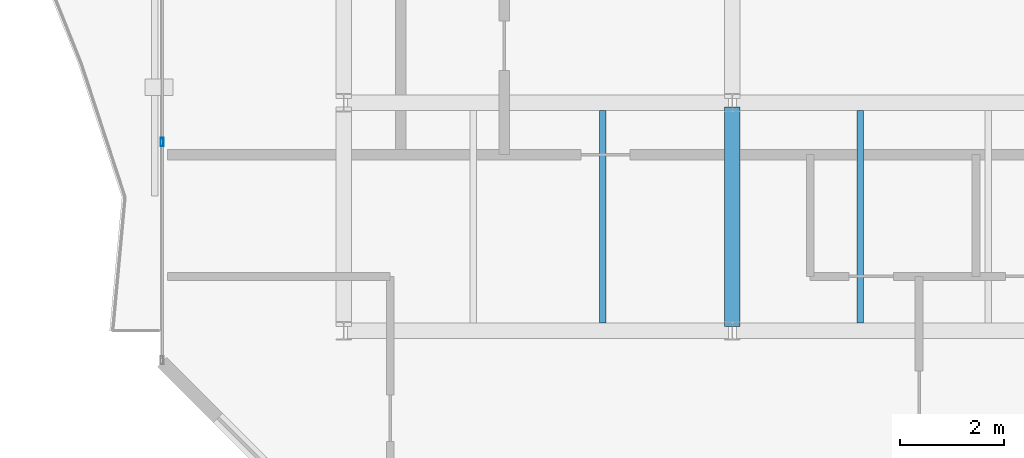
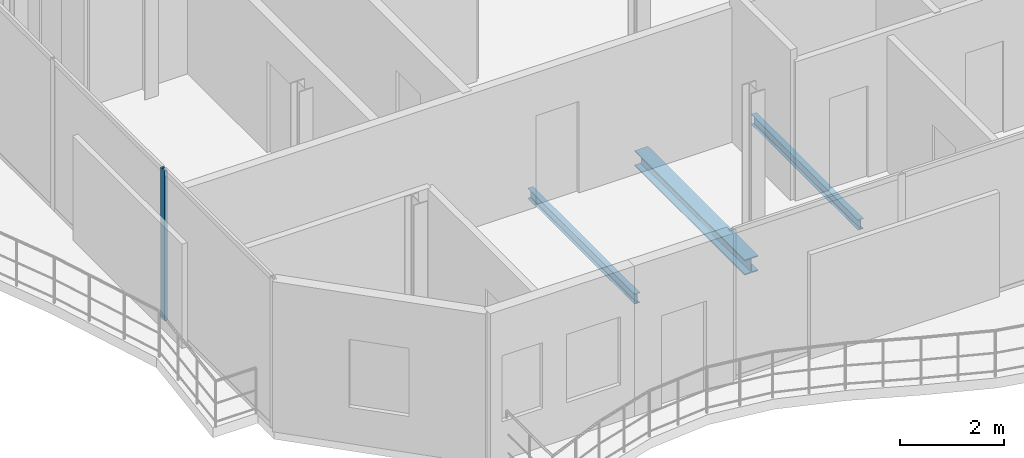
# One storey, part 5 of 23: 3 beams, 1 member, 1 element without a shape of its own.
"""IFC4 building model written with IfcOpenShell, lengths in metres."""

from ifc_helpers import new_model, si_unit, direction, frame, origin, origin_2d, place, context, subcontext, project, spatial, hollow_rectangle, i_section, extrude, material, layer, layer_set, material_profile, profile_set, type_object, element, aggregate, save


model = new_model("IFC4")

# Units and contexts
model_context = context("Model", 3, precision=1e-05, world=origin(), true_north=direction((0.0, 1.0)))
body_context = subcontext(model_context, "Body", "Model", "MODEL_VIEW")
ifc_project = project(units=[si_unit("LENGTHUNIT", "METRE"), si_unit("AREAUNIT", "SQUARE_METRE"), si_unit("VOLUMEUNIT", "CUBIC_METRE"), si_unit("PLANEANGLEUNIT", "RADIAN"), si_unit("MASSUNIT", "GRAM", prefix="KILO")], contexts=[model_context])

# Site, building, storey
site_placement = place(None, origin())
site = spatial("IfcSite", under=ifc_project, at=site_placement, CompositionType="ELEMENT")
building_placement = place(site_placement, origin())
building = spatial("IfcBuilding", under=site, at=building_placement, Name="Catumbela Crestline Tower", CompositionType="ELEMENT")
storey_placement = place(building_placement, frame((0.0, 0.0, 245.0)))
storey = spatial("IfcBuildingStorey", under=building, at=storey_placement, Name="L63", CompositionType="ELEMENT", Elevation=245.0)

# Beams
ifc_material_1 = material(Name="Structural steel S355J2", Category="steel")
ifc_material_profile_1 = material_profile(ifc_material_1, i_section(OverallWidth=0.3, OverallDepth=0.36, WebThickness=0.0125, FlangeThickness=0.0225, FilletRadius=0.027, at=origin_2d()), Name="HEB 360")
ifc_profile_set_1 = profile_set([ifc_material_profile_1], Name="Structural steel S355J2")
beam_type_1 = type_object("IfcBeamType", Name="BG-HEB360", PredefinedType="BEAM", material=ifc_profile_set_1)
beam_placement = place(storey_placement, frame((16.0, 13.68, -0.44), z_axis=(0.0, 1.0, 0.0), x_axis=(-1.0, 0.0, 0.0)))
element("IfcBeam", 1, at=beam_placement, inside=storey, type_object=beam_type_1, Name="L63 Beam BM-L63-WNS33", PredefinedType="BEAM", context=body_context, shape_type="SweptSolid", body=[
    extrude(i_section(OverallWidth=0.3, OverallDepth=0.36, WebThickness=0.0125, FlangeThickness=0.0225, FilletRadius=0.027, at=origin_2d()), origin(), (0.0, 0.0, 1.0), 4.24),
])
ifc_material_profile_2 = material_profile(ifc_material_1, i_section(OverallWidth=0.12, OverallDepth=0.24, WebThickness=0.0062, FlangeThickness=0.0098, FilletRadius=0.015, at=origin_2d()), Name="IPE 240")
ifc_profile_set_2 = profile_set([ifc_material_profile_2], Name="Structural steel S355J2")
beam_type_2 = type_object("IfcBeamType", Name="BJ-IPE240", PredefinedType="JOIST", material=ifc_profile_set_2)
for number, where, z_axis, x_axis, name in (
    (2, (13.5, 13.747, -0.38), (0.0, 1.0, 0.0), (-1.0, 0.0, 0.0), "L63 Joist JS-L63-WG37"),
    (3, (18.467, 13.747, -0.38), (0.0, 1.0, 0.0), (-1.0, 0.0, 0.0), "L63 Joist JS-L63-WG38"),
):
    element("IfcBeam", number, at=place(storey_placement, frame(where, z_axis=z_axis, x_axis=x_axis)), inside=storey, type_object=beam_type_2, Name=name, PredefinedType="JOIST", context=body_context, shape_type="SweptSolid", body=[
        extrude(i_section(OverallWidth=0.12, OverallDepth=0.24, WebThickness=0.0062, FlangeThickness=0.0098, FilletRadius=0.015, at=origin_2d()), origin(), (0.0, 0.0, 1.0), 4.106),
    ])

# Curtain wall, member
ifc_material_2 = material(Name="Aluminium alloy AW-6060-T66", Category="aluminium")
ifc_layer = layer(ifc_material_2, 0.18, Name="Aluminium alloy AW-6060-T66")
ifc_layer_set = layer_set([ifc_layer], Name="Aluminium alloy AW-6060-T66")
curtain_wall_type = type_object("IfcCurtainWallType", Name="CWU-Z4", PredefinedType="USERDEFINED", material=ifc_layer_set)
curtain_wall_placement = place(storey_placement, origin())
curtain_wall = element("IfcCurtainWall", 4, at=curtain_wall_placement, inside=storey, type_object=curtain_wall_type, Name="L63 Unitised Curtain Wall CW-L63-E9S2", ObjectType="UNITISED", PredefinedType="USERDEFINED")
ifc_material_profile_3 = material_profile(ifc_material_2, hollow_rectangle(XDim=0.06, YDim=0.16, WallThickness=0.004, at=origin_2d()), Name="ALU 160x60x4")
ifc_profile_set_3 = profile_set([ifc_material_profile_3], Name="Aluminium alloy AW-6060-T66")
member_type = type_object("IfcMemberType", Name="MUL-160X60", PredefinedType="MULLION", material=ifc_profile_set_3)
member_placement = place(storey_placement, frame((5.0, 17.24, 0.0), z_axis=(0.0, 0.0, 1.0), x_axis=(1.0, 0.0, 0.0)))
member = element("IfcMember", 5, at=member_placement, type_object=member_type, Name="CWU-Z4 mullion 5", PredefinedType="MULLION", context=body_context, shape_type="SweptSolid", body=[
    extrude(hollow_rectangle(XDim=0.06, YDim=0.16, WallThickness=0.004, at=origin_2d()), origin(), (0.0, 0.0, 1.0), 3.53),
])
aggregate(curtain_wall, [member])

save(model, "model.ifc")
